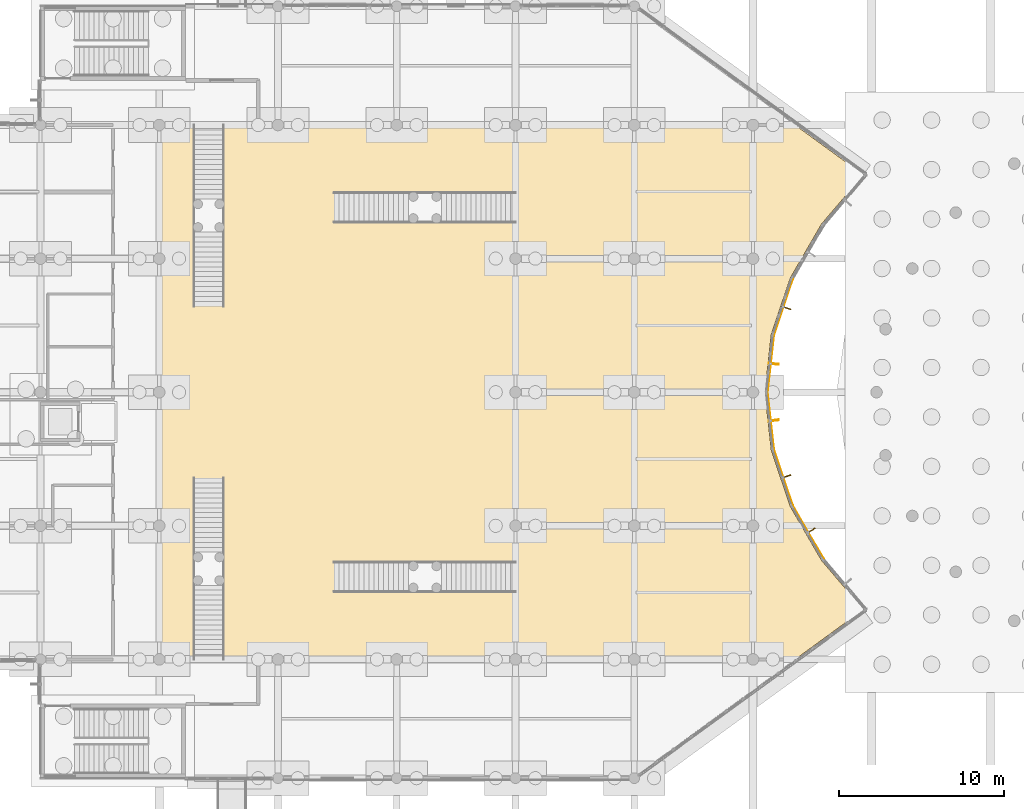
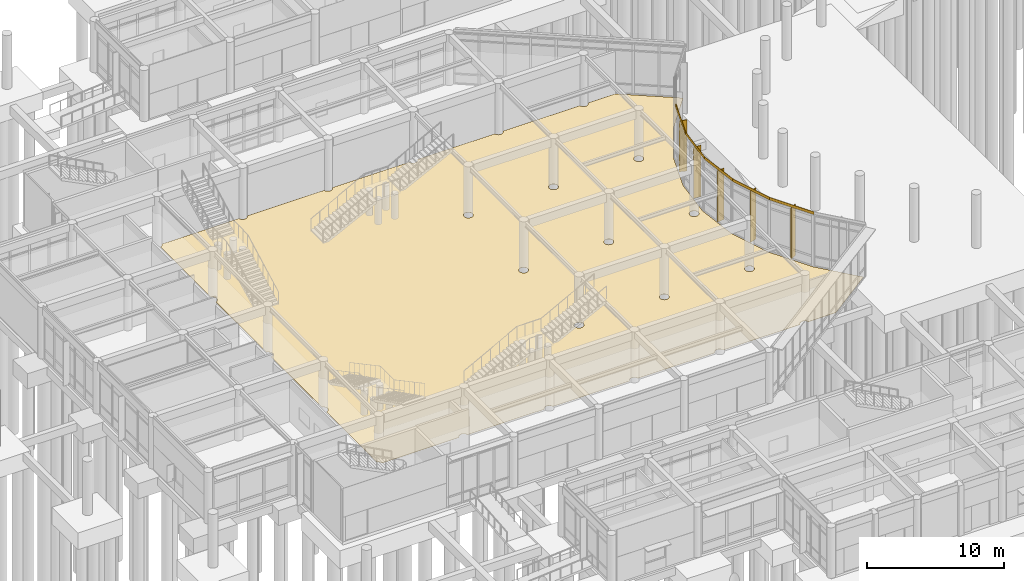
# One storey, part 81 of 103: 6 coverings, 5 shading devices.
"""IFC4 building model written with IfcOpenShell, lengths in metres."""

from ifc_helpers import new_model, si_unit, direction, frame, origin, origin_2d, place, context, subcontext, project, spatial, polyline, rectangle, outline, extrude, material, layer, layer_set, type_object, element, save


model = new_model("IFC4")

# Units and contexts
model_context = context("Model", 3, precision=1e-05, world=origin(), true_north=direction((0.0, 1.0)))
body_context = subcontext(model_context, "Body", "Model", "MODEL_VIEW")
ifc_project = project(units=[si_unit("LENGTHUNIT", "METRE"), si_unit("AREAUNIT", "SQUARE_METRE"), si_unit("VOLUMEUNIT", "CUBIC_METRE"), si_unit("PLANEANGLEUNIT", "RADIAN"), si_unit("MASSUNIT", "GRAM", prefix="KILO")], contexts=[model_context])

# Site, building, storey
site_placement = place(None, origin())
site = spatial("IfcSite", under=ifc_project, at=site_placement, CompositionType="ELEMENT")
building_placement = place(site_placement, origin())
building = spatial("IfcBuilding", under=site, at=building_placement, Name="Namkhue Oval Health Centre", CompositionType="ELEMENT")
storey_placement = place(building_placement, origin())
storey = spatial("IfcBuildingStorey", under=building, at=storey_placement, Name="L00", CompositionType="ELEMENT", Elevation=0.0)

# Covering
ifc_material_1 = material(Name="Homogeneous anti-bacterial clinical vinyl flooring", Category="plastic")
ifc_layer_1 = layer(ifc_material_1, 0.014892578125)
ifc_layer_set_1 = layer_set([ifc_layer_1], Name="Homogeneous anti-bacterial clinical vinyl flooring")
covering_type_1 = type_object("IfcCoveringType", Name="CLINICAL ANTIBACTERIAL VINYL FLOORING 15", PredefinedType="FLOORING", material=ifc_layer_set_1)
covering_1_placement = place(storey_placement, origin())
element("IfcCovering", 1, at=covering_1_placement, inside=storey, type_object=covering_type_1, Name="Clinical Flooring L00-100 Main Public Waiting Hall", PredefinedType="FLOORING", context=body_context, shape_type="SweptSolid", body=[
    extrude(outline(polyline([(35.650390625, 75.52001953125), (35.65234375, 75.5068359375), (35.688232421875, 75.419921875), (35.745361328125, 75.345458984375), (35.820068359375, 75.2880859375), (35.90673828125, 75.252197265625), (36.0, 75.239990234375), (36.09326171875, 75.252197265625), (36.179931640625, 75.2880859375), (36.254638671875, 75.345458984375), (36.311767578125, 75.419921875), (36.34765625, 75.5068359375), (36.349609375, 75.52001953125), (42.8505859375, 75.52001953125), (42.852294921875, 75.5068359375), (42.88818359375, 75.419921875), (42.9453125, 75.345458984375), (43.02001953125, 75.2880859375), (43.106689453125, 75.252197265625), (43.199951171875, 75.239990234375), (43.293212890625, 75.252197265625), (43.3798828125, 75.2880859375), (43.45458984375, 75.345458984375), (43.51171875, 75.419921875), (43.547607421875, 75.5068359375), (43.549560546875, 75.52001953125), (50.050537109375, 75.52001953125), (50.05224609375, 75.5068359375), (50.088134765625, 75.419921875), (50.1455078125, 75.345458984375), (50.219970703125, 75.2880859375), (50.306884765625, 75.252197265625), (50.39990234375, 75.239990234375), (50.4931640625, 75.252197265625), (50.580078125, 75.2880859375), (50.654541015625, 75.345458984375), (50.7119140625, 75.419921875), (50.747802734375, 75.5068359375), (50.74951171875, 75.52001953125), (57.25048828125, 75.52001953125), (57.252197265625, 75.5068359375), (57.2880859375, 75.419921875), (57.345458984375, 75.345458984375), (57.419921875, 75.2880859375), (57.5068359375, 75.252197265625), (57.60009765625, 75.239990234375), (57.693115234375, 75.252197265625), (57.780029296875, 75.2880859375), (57.8544921875, 75.345458984375), (57.911865234375, 75.419921875), (57.94775390625, 75.5068359375), (57.949462890625, 75.52001953125), (64.450439453125, 75.52001953125), (64.452392578125, 75.5068359375), (64.48828125, 75.419921875), (64.54541015625, 75.345458984375), (64.6201171875, 75.2880859375), (64.706787109375, 75.252197265625), (64.800048828125, 75.239990234375), (64.893310546875, 75.252197265625), (64.97998046875, 75.2880859375), (65.0546875, 75.345458984375), (65.11181640625, 75.419921875), (65.147705078125, 75.5068359375), (65.1494140625, 75.52001953125), (67.45751953125, 75.52001953125), (71.493896484375, 72.582275390625), (68.959716796875, 69.609130859375), (67.060546875, 66.335205078125), (65.904052734375, 62.906494140625), (65.514892578125, 59.39990234375), (65.904052734375, 55.8935546875), (67.060546875, 52.46484375), (68.959716796875, 49.19091796875), (71.493896484375, 46.2177734375), (67.45751953125, 43.280029296875), (65.1494140625, 43.280029296875), (65.147705078125, 43.293212890625), (65.11181640625, 43.3798828125), (65.0546875, 43.45458984375), (64.97998046875, 43.51171875), (64.893310546875, 43.547607421875), (64.800048828125, 43.56005859375), (64.706787109375, 43.547607421875), (64.6201171875, 43.51171875), (64.54541015625, 43.45458984375), (64.48828125, 43.3798828125), (64.452392578125, 43.293212890625), (64.450439453125, 43.280029296875), (57.949462890625, 43.280029296875), (57.94775390625, 43.293212890625), (57.911865234375, 43.3798828125), (57.8544921875, 43.45458984375), (57.780029296875, 43.51171875), (57.693115234375, 43.547607421875), (57.60009765625, 43.56005859375), (57.5068359375, 43.547607421875), (57.419921875, 43.51171875), (57.345458984375, 43.45458984375), (57.2880859375, 43.3798828125), (57.252197265625, 43.293212890625), (57.25048828125, 43.280029296875), (50.74951171875, 43.280029296875), (50.747802734375, 43.293212890625), (50.7119140625, 43.3798828125), (50.654541015625, 43.45458984375), (50.580078125, 43.51171875), (50.4931640625, 43.547607421875), (50.39990234375, 43.56005859375), (50.306884765625, 43.547607421875), (50.219970703125, 43.51171875), (50.1455078125, 43.45458984375), (50.088134765625, 43.3798828125), (50.05224609375, 43.293212890625), (50.050537109375, 43.280029296875), (43.549560546875, 43.280029296875), (43.547607421875, 43.293212890625), (43.51171875, 43.3798828125), (43.45458984375, 43.45458984375), (43.3798828125, 43.51171875), (43.293212890625, 43.547607421875), (43.199951171875, 43.56005859375), (43.106689453125, 43.547607421875), (43.02001953125, 43.51171875), (42.9453125, 43.45458984375), (42.88818359375, 43.3798828125), (42.852294921875, 43.293212890625), (42.8505859375, 43.280029296875), (36.349609375, 43.280029296875), (36.34765625, 43.293212890625), (36.311767578125, 43.3798828125), (36.254638671875, 43.45458984375), (36.179931640625, 43.51171875), (36.09326171875, 43.547607421875), (36.0, 43.56005859375), (35.90673828125, 43.547607421875), (35.820068359375, 43.51171875), (35.745361328125, 43.45458984375), (35.688232421875, 43.3798828125), (35.65234375, 43.293212890625), (35.650390625, 43.280029296875), (29.1494140625, 43.280029296875), (29.147705078125, 43.293212890625), (29.11181640625, 43.3798828125), (29.0546875, 43.45458984375), (28.97998046875, 43.51171875), (28.893310546875, 43.547607421875), (28.8798828125, 43.549560546875), (28.8798828125, 50.950439453125), (28.893310546875, 50.952392578125), (28.97998046875, 50.98828125), (29.0546875, 51.04541015625), (29.11181640625, 51.1201171875), (29.147705078125, 51.206787109375), (29.159912109375, 51.300048828125), (29.147705078125, 51.393310546875), (29.11181640625, 51.47998046875), (29.0546875, 51.5546875), (28.97998046875, 51.61181640625), (28.893310546875, 51.647705078125), (28.8798828125, 51.6494140625), (28.8798828125, 59.050537109375), (28.893310546875, 59.05224609375), (28.97998046875, 59.088134765625), (29.0546875, 59.1455078125), (29.11181640625, 59.219970703125), (29.147705078125, 59.306884765625), (29.159912109375, 59.39990234375), (29.147705078125, 59.4931640625), (29.11181640625, 59.580078125), (29.0546875, 59.654541015625), (28.97998046875, 59.7119140625), (28.893310546875, 59.747802734375), (28.8798828125, 59.74951171875), (28.8798828125, 67.150390625), (28.893310546875, 67.15234375), (28.97998046875, 67.188232421875), (29.0546875, 67.245361328125), (29.11181640625, 67.320068359375), (29.147705078125, 67.40673828125), (29.159912109375, 67.5), (29.147705078125, 67.59326171875), (29.11181640625, 67.679931640625), (29.0546875, 67.754638671875), (28.97998046875, 67.811767578125), (28.893310546875, 67.84765625), (28.8798828125, 67.849609375), (28.8798828125, 75.25048828125), (28.893310546875, 75.252197265625), (28.97998046875, 75.2880859375), (29.0546875, 75.345458984375), (29.11181640625, 75.419921875), (29.147705078125, 75.5068359375), (29.1494140625, 75.52001953125), (35.650390625, 75.52001953125)]), holes=[polyline([(57.60009765625, 50.93994140625), (57.693115234375, 50.952392578125), (57.780029296875, 50.98828125), (57.8544921875, 51.04541015625), (57.911865234375, 51.1201171875), (57.94775390625, 51.206787109375), (57.9599609375, 51.300048828125), (57.94775390625, 51.393310546875), (57.911865234375, 51.47998046875), (57.8544921875, 51.5546875), (57.780029296875, 51.61181640625), (57.693115234375, 51.647705078125), (57.60009765625, 51.659912109375), (57.5068359375, 51.647705078125), (57.419921875, 51.61181640625), (57.345458984375, 51.5546875), (57.2880859375, 51.47998046875), (57.252197265625, 51.393310546875), (57.239990234375, 51.300048828125), (57.252197265625, 51.206787109375), (57.2880859375, 51.1201171875), (57.345458984375, 51.04541015625), (57.419921875, 50.98828125), (57.5068359375, 50.952392578125), (57.60009765625, 50.93994140625)]), polyline([(50.306884765625, 50.952392578125), (50.39990234375, 50.93994140625), (50.4931640625, 50.952392578125), (50.580078125, 50.98828125), (50.654541015625, 51.04541015625), (50.7119140625, 51.1201171875), (50.747802734375, 51.206787109375), (50.760009765625, 51.300048828125), (50.747802734375, 51.393310546875), (50.7119140625, 51.47998046875), (50.654541015625, 51.5546875), (50.580078125, 51.61181640625), (50.4931640625, 51.647705078125), (50.39990234375, 51.659912109375), (50.306884765625, 51.647705078125), (50.219970703125, 51.61181640625), (50.1455078125, 51.5546875), (50.088134765625, 51.47998046875), (50.05224609375, 51.393310546875), (50.0400390625, 51.300048828125), (50.05224609375, 51.206787109375), (50.088134765625, 51.1201171875), (50.1455078125, 51.04541015625), (50.219970703125, 50.98828125), (50.306884765625, 50.952392578125)]), polyline([(64.706787109375, 50.952392578125), (64.800048828125, 50.93994140625), (64.893310546875, 50.952392578125), (64.97998046875, 50.98828125), (65.0546875, 51.04541015625), (65.11181640625, 51.1201171875), (65.147705078125, 51.206787109375), (65.159912109375, 51.300048828125), (65.147705078125, 51.393310546875), (65.11181640625, 51.47998046875), (65.0546875, 51.5546875), (64.97998046875, 51.61181640625), (64.893310546875, 51.647705078125), (64.800048828125, 51.659912109375), (64.706787109375, 51.647705078125), (64.6201171875, 51.61181640625), (64.54541015625, 51.5546875), (64.48828125, 51.47998046875), (64.452392578125, 51.393310546875), (64.43994140625, 51.300048828125), (64.452392578125, 51.206787109375), (64.48828125, 51.1201171875), (64.54541015625, 51.04541015625), (64.6201171875, 50.98828125), (64.706787109375, 50.952392578125)]), polyline([(57.60009765625, 59.0400390625), (57.693115234375, 59.05224609375), (57.780029296875, 59.088134765625), (57.8544921875, 59.1455078125), (57.911865234375, 59.219970703125), (57.94775390625, 59.306884765625), (57.9599609375, 59.39990234375), (57.94775390625, 59.4931640625), (57.911865234375, 59.580078125), (57.8544921875, 59.654541015625), (57.780029296875, 59.7119140625), (57.693115234375, 59.747802734375), (57.60009765625, 59.760009765625), (57.5068359375, 59.747802734375), (57.419921875, 59.7119140625), (57.345458984375, 59.654541015625), (57.2880859375, 59.580078125), (57.252197265625, 59.4931640625), (57.239990234375, 59.39990234375), (57.252197265625, 59.306884765625), (57.2880859375, 59.219970703125), (57.345458984375, 59.1455078125), (57.419921875, 59.088134765625), (57.5068359375, 59.05224609375), (57.60009765625, 59.0400390625)]), polyline([(50.306884765625, 59.05224609375), (50.39990234375, 59.0400390625), (50.4931640625, 59.05224609375), (50.580078125, 59.088134765625), (50.654541015625, 59.1455078125), (50.7119140625, 59.219970703125), (50.747802734375, 59.306884765625), (50.760009765625, 59.39990234375), (50.747802734375, 59.4931640625), (50.7119140625, 59.580078125), (50.654541015625, 59.654541015625), (50.580078125, 59.7119140625), (50.4931640625, 59.747802734375), (50.39990234375, 59.760009765625), (50.306884765625, 59.747802734375), (50.219970703125, 59.7119140625), (50.1455078125, 59.654541015625), (50.088134765625, 59.580078125), (50.05224609375, 59.4931640625), (50.0400390625, 59.39990234375), (50.05224609375, 59.306884765625), (50.088134765625, 59.219970703125), (50.1455078125, 59.1455078125), (50.219970703125, 59.088134765625), (50.306884765625, 59.05224609375)]), polyline([(64.706787109375, 59.05224609375), (64.800048828125, 59.0400390625), (64.893310546875, 59.05224609375), (64.97998046875, 59.088134765625), (65.0546875, 59.1455078125), (65.11181640625, 59.219970703125), (65.147705078125, 59.306884765625), (65.159912109375, 59.39990234375), (65.147705078125, 59.4931640625), (65.11181640625, 59.580078125), (65.0546875, 59.654541015625), (64.97998046875, 59.7119140625), (64.893310546875, 59.747802734375), (64.800048828125, 59.760009765625), (64.706787109375, 59.747802734375), (64.6201171875, 59.7119140625), (64.54541015625, 59.654541015625), (64.48828125, 59.580078125), (64.452392578125, 59.4931640625), (64.43994140625, 59.39990234375), (64.452392578125, 59.306884765625), (64.48828125, 59.219970703125), (64.54541015625, 59.1455078125), (64.6201171875, 59.088134765625), (64.706787109375, 59.05224609375)]), polyline([(64.800048828125, 67.139892578125), (64.893310546875, 67.15234375), (64.97998046875, 67.188232421875), (65.0546875, 67.245361328125), (65.11181640625, 67.320068359375), (65.147705078125, 67.40673828125), (65.159912109375, 67.5), (65.147705078125, 67.59326171875), (65.11181640625, 67.679931640625), (65.0546875, 67.754638671875), (64.97998046875, 67.811767578125), (64.893310546875, 67.84765625), (64.800048828125, 67.860107421875), (64.706787109375, 67.84765625), (64.6201171875, 67.811767578125), (64.54541015625, 67.754638671875), (64.48828125, 67.679931640625), (64.452392578125, 67.59326171875), (64.43994140625, 67.5), (64.452392578125, 67.40673828125), (64.48828125, 67.320068359375), (64.54541015625, 67.245361328125), (64.6201171875, 67.188232421875), (64.706787109375, 67.15234375), (64.800048828125, 67.139892578125)]), polyline([(57.5068359375, 67.15234375), (57.60009765625, 67.139892578125), (57.693115234375, 67.15234375), (57.780029296875, 67.188232421875), (57.8544921875, 67.245361328125), (57.911865234375, 67.320068359375), (57.94775390625, 67.40673828125), (57.9599609375, 67.5), (57.94775390625, 67.59326171875), (57.911865234375, 67.679931640625), (57.8544921875, 67.754638671875), (57.780029296875, 67.811767578125), (57.693115234375, 67.84765625), (57.60009765625, 67.860107421875), (57.5068359375, 67.84765625), (57.419921875, 67.811767578125), (57.345458984375, 67.754638671875), (57.2880859375, 67.679931640625), (57.252197265625, 67.59326171875), (57.239990234375, 67.5), (57.252197265625, 67.40673828125), (57.2880859375, 67.320068359375), (57.345458984375, 67.245361328125), (57.419921875, 67.188232421875), (57.5068359375, 67.15234375)]), polyline([(50.306884765625, 67.15234375), (50.39990234375, 67.139892578125), (50.4931640625, 67.15234375), (50.580078125, 67.188232421875), (50.654541015625, 67.245361328125), (50.7119140625, 67.320068359375), (50.747802734375, 67.40673828125), (50.760009765625, 67.5), (50.747802734375, 67.59326171875), (50.7119140625, 67.679931640625), (50.654541015625, 67.754638671875), (50.580078125, 67.811767578125), (50.4931640625, 67.84765625), (50.39990234375, 67.860107421875), (50.306884765625, 67.84765625), (50.219970703125, 67.811767578125), (50.1455078125, 67.754638671875), (50.088134765625, 67.679931640625), (50.05224609375, 67.59326171875), (50.0400390625, 67.5), (50.05224609375, 67.40673828125), (50.088134765625, 67.320068359375), (50.1455078125, 67.245361328125), (50.219970703125, 67.188232421875), (50.306884765625, 67.15234375)])]), origin(), (0.0, 0.0, 1.0), 0.014892578125),
])

# Shading devices
ifc_material_2 = material(Name="Anodised aluminium EN AW-6063 T6", Category="aluminium")
shading_device_type = type_object("IfcShadingDeviceType", Name="VERTICAL SOLAR FIN 600", PredefinedType="USERDEFINED", material=ifc_material_2)
for number, where, z_axis, x_axis, name in (
    (2, (68.308349609375, 51.00048828125, 0.0), (0.0, 0.0, 1.0), (0.864976307593, 0.501812701416, 0.0), "Volume V1 L00 Extruded Aluminium Solar Fin 4"),
    (3, (66.808837890625, 54.2890625, 0.0), (0.0, 0.0, 1.0), (0.947545503457, 0.319620898688, 0.0), "Volume V1 L00 Extruded Aluminium Solar Fin 5"),
    (4, (66.052001953125, 57.684814453125, 0.0), (0.0, 0.0, 1.0), (0.993903362457, 0.110254732764, 0.0), "Volume V1 L00 Extruded Aluminium Solar Fin 6"),
    (5, (66.052001953125, 61.115234375, 0.0), (0.0, 0.0, 1.0), (0.993903362457, -0.110254732764, 0.0), "Volume V1 L00 Extruded Aluminium Solar Fin 7"),
    (6, (66.808837890625, 64.510986328125, 0.0), (0.0, 0.0, 1.0), (0.947545503457, -0.319620898688, 0.0), "Volume V1 L00 Extruded Aluminium Solar Fin 8"),
):
    element("IfcShadingDevice", number, at=place(storey_placement, frame(where, z_axis=z_axis, x_axis=x_axis)), inside=storey, type_object=shading_device_type, Name=name, ObjectType="SOLAR FIN", PredefinedType="USERDEFINED", context=body_context, shape_type="SweptSolid", body=[
        extrude(rectangle(XDim=0.60009765625, YDim=0.06005859375, at=origin_2d()), origin(), (0.0, 0.0, 1.0), 4.56494140625),
    ])

# Coverings
ifc_material_3 = material(Name="White glass-fibre reinforced concrete GRC rainscreen cladding", Category="concrete")
ifc_layer_2 = layer(ifc_material_3, 0.02490234375)
ifc_layer_set_2 = layer_set([ifc_layer_2], Name="White glass-fibre reinforced concrete GRC rainscreen cladding")
covering_type_2 = type_object("IfcCoveringType", Name="WHITE GRC RAINSCREEN CLADDING 25", PredefinedType="CLADDING", material=ifc_layer_set_2)
covering_2_placement = place(storey_placement, frame((68.16015625, 50.914306640625, 4.550048828125), z_axis=(0.0, 0.0, 1.0), x_axis=(-0.501812701416, 0.864976307593, 0.0)))
element("IfcCovering", 7, at=covering_2_placement, inside=storey, type_object=covering_type_2, Name="Volume V1 L00 Curtain Wall Spandrel Cladding 4", PredefinedType="CLADDING", context=body_context, shape_type="SweptSolid", body=[
    extrude(rectangle(XDim=3.7587890625, YDim=0.02490234375, at=origin_2d()), origin(), (0.0, 0.0, 1.0), 0.25),
])
covering_3_placement = place(storey_placement, frame((66.646484375, 54.234375, 4.550048828125), z_axis=(0.0, 0.0, 1.0), x_axis=(-0.319620898688, 0.947545503457, 0.0)))
element("IfcCovering", 8, at=covering_3_placement, inside=storey, type_object=covering_type_2, Name="Volume V1 L00 Curtain Wall Spandrel Cladding 5", PredefinedType="CLADDING", context=body_context, shape_type="SweptSolid", body=[
    extrude(rectangle(XDim=3.5908203125, YDim=0.02490234375, at=origin_2d()), origin(), (0.0, 0.0, 1.0), 0.25),
])
for number, where, z_axis, x_axis, name in (
    (9, (65.881591796875, 57.665771484375, 4.550048828125), (0.0, 0.0, 1.0), (-0.110254732764, 0.993903362457, 0.0), "Volume V1 L00 Curtain Wall Spandrel Cladding 6"),
    (10, (65.881591796875, 61.13427734375, 4.550048828125), (0.0, 0.0, 1.0), (0.110254732764, 0.993903362457, 0.0), "Volume V1 L00 Curtain Wall Spandrel Cladding 7"),
):
    element("IfcCovering", number, at=place(storey_placement, frame(where, z_axis=z_axis, x_axis=x_axis)), inside=storey, type_object=covering_type_2, Name=name, PredefinedType="CLADDING", context=body_context, shape_type="SweptSolid", body=[
        extrude(rectangle(XDim=3.49951171875, YDim=0.02490234375, at=origin_2d()), origin(), (0.0, 0.0, 1.0), 0.25),
    ])
covering_4_placement = place(storey_placement, frame((66.646484375, 64.565673828125, 4.550048828125), z_axis=(0.0, 0.0, 1.0), x_axis=(0.319620898688, 0.947545503457, 0.0)))
element("IfcCovering", 11, at=covering_4_placement, inside=storey, type_object=covering_type_2, Name="Volume V1 L00 Curtain Wall Spandrel Cladding 8", PredefinedType="CLADDING", context=body_context, shape_type="SweptSolid", body=[
    extrude(rectangle(XDim=3.5908203125, YDim=0.02490234375, at=origin_2d()), origin(), (0.0, 0.0, 1.0), 0.25),
])

save(model, "model.ifc")
